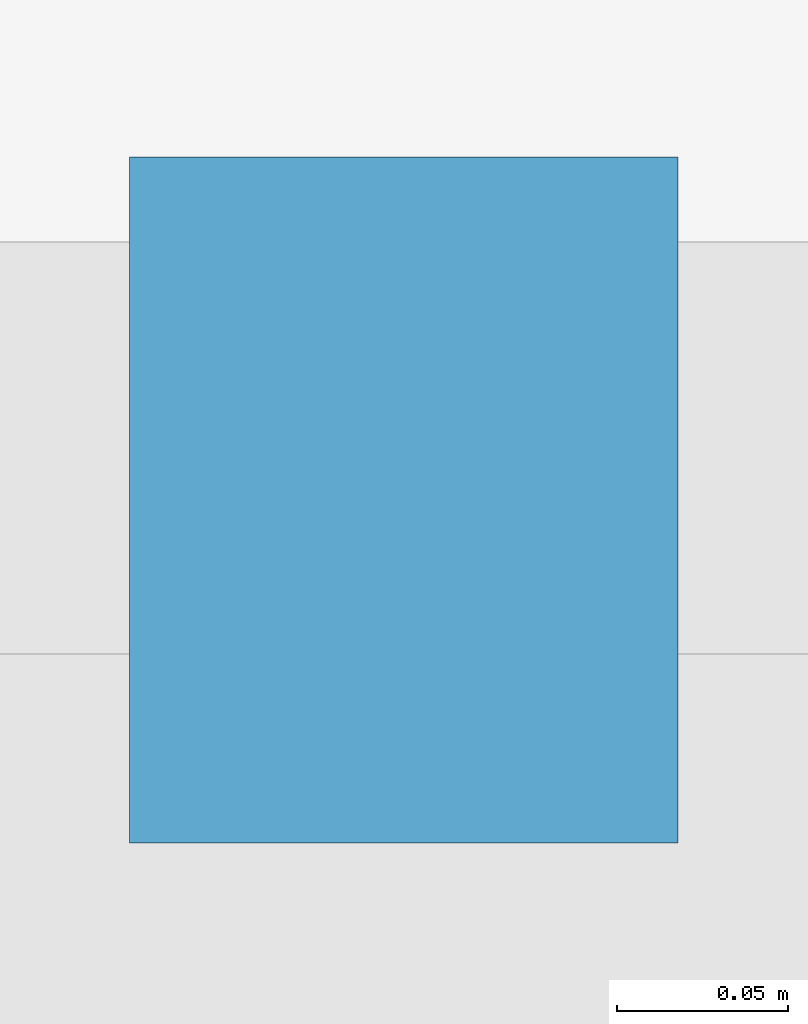
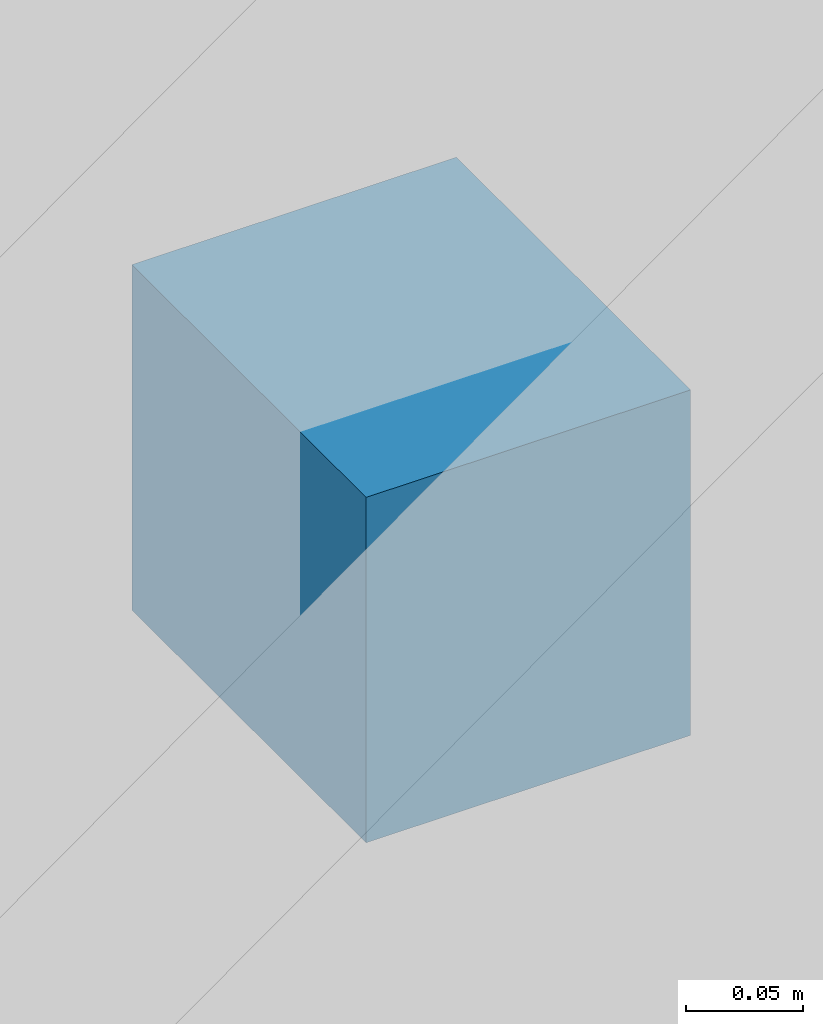
# One storey, part 21 of 25: 1 discrete accessory.
"""IFC4 building model written with IfcOpenShell, lengths in metres."""

from ifc_helpers import new_model, si_unit, direction, frame, origin, origin_2d, place, context, subcontext, project, spatial, rectangle, extrude, material, type_object, element, save


model = new_model("IFC4")

# Units and contexts
model_context = context("Model", 3, precision=1e-05, world=origin(), true_north=direction((0.0, 1.0)))
body_context = subcontext(model_context, "Body", "Model", "MODEL_VIEW")
ifc_project = project(units=[si_unit("LENGTHUNIT", "METRE"), si_unit("AREAUNIT", "SQUARE_METRE"), si_unit("VOLUMEUNIT", "CUBIC_METRE"), si_unit("PLANEANGLEUNIT", "RADIAN"), si_unit("MASSUNIT", "GRAM", prefix="KILO")], contexts=[model_context])

# Site, building, storey
site_placement = place(None, origin())
site = spatial("IfcSite", under=ifc_project, at=site_placement, CompositionType="ELEMENT")
building_placement = place(site_placement, origin())
building = spatial("IfcBuilding", under=site, at=building_placement, Name="Koriwani Terraces Tower", CompositionType="ELEMENT")
storey_placement = place(building_placement, frame((0.0, 0.0, 157.60009765625)))
storey = spatial("IfcBuildingStorey", under=building, at=storey_placement, Name="L38", CompositionType="ELEMENT", Elevation=157.60009765625)

# Discrete accessory
ifc_material = material(Name="Steel ASTM A572 Grade 50", Category="steel")
discrete_accessory_type = type_object("IfcDiscreteAccessoryType", Name="BAGUETTE_STANDOFF_BRACKET", PredefinedType="BRACKET", material=ifc_material)
discrete_accessory_placement = place(storey_placement, frame((63.0, 0.389892578125, 1.93505859375), z_axis=(0.0, 0.0, 1.0), x_axis=(-1.0, 0.0, 0.0)))
element("IfcDiscreteAccessory", 1, at=discrete_accessory_placement, inside=storey, type_object=discrete_accessory_type, Name="L38 Terracotta Baguette Bracket (S-21)", PredefinedType="BRACKET", context=body_context, shape_type="SweptSolid", body=[
    extrude(rectangle(XDim=0.159912109375, YDim=0.199951171875, at=origin_2d()), origin(), (0.0, 0.0, 1.0), 0.179931640625),
])

save(model, "model.ifc")
